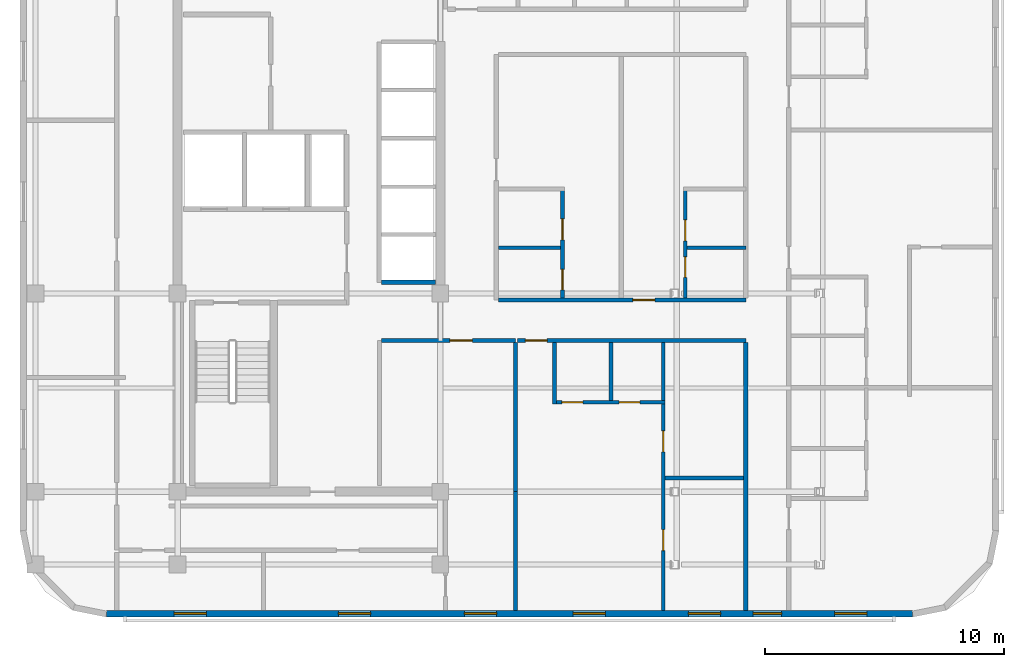
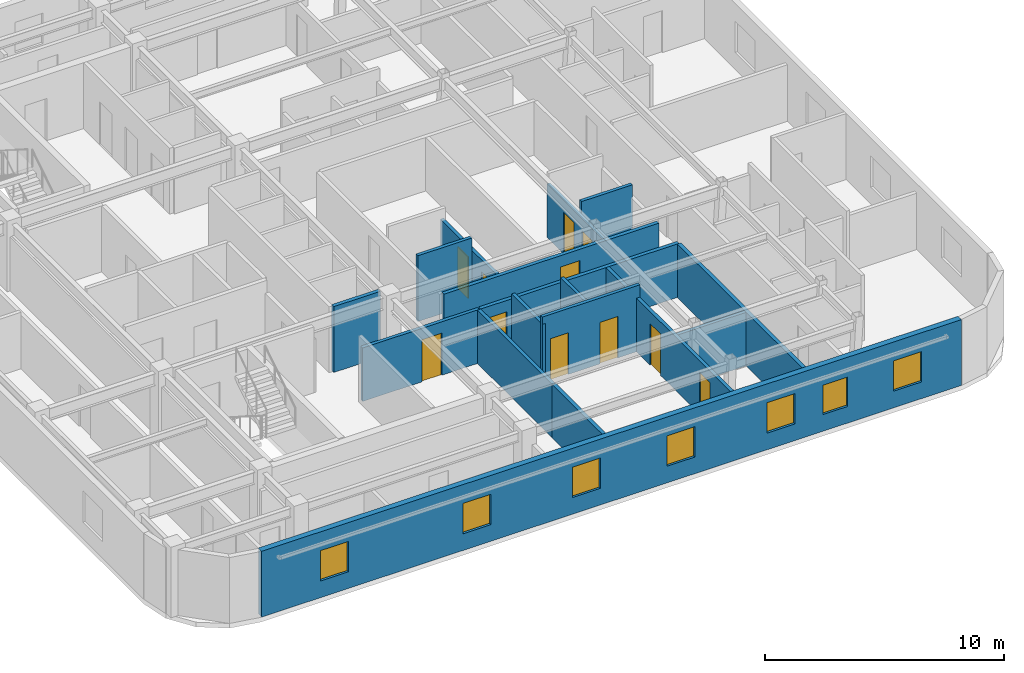
# One storey, part 3 of 10: 17 walls, 11 doors, 7 windows, 18 openings.
"""IFC4 building model written with IfcOpenShell, lengths in metres."""

from ifc_helpers import new_model, si_unit, direction, frame, frame_2d, origin, place, context, subcontext, project, spatial, rectangle, extrude, material, layer, layer_set, type_object, element, fill, save


model = new_model("IFC4")

# Units and contexts
model_context = context("Model", 3, precision=1e-05, world=origin(), true_north=direction((0.0, 1.0)))
body_context = subcontext(model_context, "Body", "Model", "MODEL_VIEW")
ifc_project = project(units=[si_unit("LENGTHUNIT", "METRE"), si_unit("AREAUNIT", "SQUARE_METRE"), si_unit("VOLUMEUNIT", "CUBIC_METRE"), si_unit("PLANEANGLEUNIT", "RADIAN"), si_unit("MASSUNIT", "GRAM", prefix="KILO")], contexts=[model_context])

# Site, building, storey
site_placement = place(None, origin())
site = spatial("IfcSite", under=ifc_project, at=site_placement, CompositionType="ELEMENT")
building_placement = place(site_placement, origin())
building = spatial("IfcBuilding", under=site, at=building_placement, Name="Ochreholt Gables", CompositionType="ELEMENT")
storey_placement = place(building_placement, frame((0.0, 0.0, 144.60009765625)))
storey = spatial("IfcBuildingStorey", under=building, at=storey_placement, Name="L37", CompositionType="ELEMENT", Elevation=144.60009765625)

# Wall, openings, windows
ifc_material_1 = material(Name="Precast concrete 40 MPa", Category="concrete")
ifc_layer_1 = layer(ifc_material_1, 0.280029296875, Name="Precast concrete 40 MPa")
ifc_layer_set_1 = layer_set([ifc_layer_1], Name="Precast concrete 40 MPa")
wall_type_1 = type_object("IfcWallType", Name="WALL-EXT-280", PredefinedType="SOLIDWALL", material=ifc_layer_set_1)
wall_1_placement = place(storey_placement, frame((21.219970703125, 4.139892578125, 0.0), z_axis=(0.0, 0.0, 1.0), x_axis=(1.0, 0.0, 0.0)))
wall_1 = element("IfcWall", 1, at=wall_1_placement, inside=storey, type_object=wall_type_1, Name="L37 South Exterior Wall", PredefinedType="SOLIDWALL", context=body_context, shape_type="SweptSolid", body=[
    extrude(rectangle(XDim=33.760009765625, YDim=0.280029296875, at=frame_2d((16.8798828125, 0.0))), origin(), (0.0, 0.0, 1.0), 3.35986328125),
])
opening_1_placement = place(wall_1_placement, frame((2.830078125, 0.0, 0.85009765625)))
opening_1 = element("IfcOpeningElement", 2, at=opening_1_placement, cuts=wall_1, Name="Opening WN-8", PredefinedType="OPENING", context=body_context, shape_type="SweptSolid", body=[
    extrude(rectangle(XDim=1.35009765625, YDim=1.550048828125, at=frame_2d((0.675048828125, 0.77490234375))), frame((0.0, 0.14990234375, 0.0), z_axis=(0.0, -1.0, 0.0), x_axis=(1.0, 0.0, 0.0)), (0.0, 0.0, 1.0), 0.300048828125),
])
opening_2_placement = place(wall_1_placement, frame((9.715087890625, 0.0, 0.85009765625)))
opening_2 = element("IfcOpeningElement", 3, at=opening_2_placement, cuts=wall_1, Name="Opening WN-8", PredefinedType="OPENING", context=body_context, shape_type="SweptSolid", body=[
    extrude(rectangle(XDim=1.35009765625, YDim=1.550048828125, at=frame_2d((0.675048828125, 0.77490234375))), frame((0.0, 0.14990234375, 0.0), z_axis=(0.0, -1.0, 0.0), x_axis=(1.0, 0.0, 0.0)), (0.0, 0.0, 1.0), 0.300048828125),
])
opening_3_placement = place(wall_1_placement, frame((14.989990234375, 0.0, 0.85009765625)))
opening_3 = element("IfcOpeningElement", 4, at=opening_3_placement, cuts=wall_1, Name="Opening WN-8", PredefinedType="OPENING", context=body_context, shape_type="SweptSolid", body=[
    extrude(rectangle(XDim=1.35009765625, YDim=1.550048828125, at=frame_2d((0.675048828125, 0.77490234375))), frame((0.0, 0.14990234375, 0.0), z_axis=(0.0, -1.0, 0.0), x_axis=(1.0, 0.0, 0.0)), (0.0, 0.0, 1.0), 0.300048828125),
])
opening_4_placement = place(wall_1_placement, frame((19.550048828125, 0.0, 0.85009765625)))
opening_4 = element("IfcOpeningElement", 5, at=opening_4_placement, cuts=wall_1, Name="Opening WN-8", PredefinedType="OPENING", context=body_context, shape_type="SweptSolid", body=[
    extrude(rectangle(XDim=1.35009765625, YDim=1.550048828125, at=frame_2d((0.675048828125, 0.77490234375))), frame((0.0, 0.14990234375, 0.0), z_axis=(0.0, -1.0, 0.0), x_axis=(1.0, 0.0, 0.0)), (0.0, 0.0, 1.0), 0.300048828125),
])
opening_5_placement = place(wall_1_placement, frame((24.375, 0.0, 0.85009765625)))
opening_5 = element("IfcOpeningElement", 6, at=opening_5_placement, cuts=wall_1, Name="Opening WN-8", PredefinedType="OPENING", context=body_context, shape_type="SweptSolid", body=[
    extrude(rectangle(XDim=1.35009765625, YDim=1.550048828125, at=frame_2d((0.675048828125, 0.77490234375))), frame((0.0, 0.14990234375, 0.0), z_axis=(0.0, -1.0, 0.0), x_axis=(1.0, 0.0, 0.0)), (0.0, 0.0, 1.0), 0.300048828125),
])
opening_6_placement = place(wall_1_placement, frame((27.080078125, 0.0, 0.85009765625)))
opening_6 = element("IfcOpeningElement", 7, at=opening_6_placement, cuts=wall_1, Name="Opening WN-3", PredefinedType="OPENING", context=body_context, shape_type="SweptSolid", body=[
    extrude(rectangle(XDim=1.199951171875, YDim=1.5, at=frame_2d((0.60009765625, 0.75))), frame((0.0, 0.14990234375, 0.0), z_axis=(0.0, -1.0, 0.0), x_axis=(1.0, 0.0, 0.0)), (0.0, 0.0, 1.0), 0.300048828125),
])
opening_7_placement = place(wall_1_placement, frame((30.4951171875, 0.0, 0.85009765625)))
opening_7 = element("IfcOpeningElement", 8, at=opening_7_placement, cuts=wall_1, Name="Opening WN-8", PredefinedType="OPENING", context=body_context, shape_type="SweptSolid", body=[
    extrude(rectangle(XDim=1.35009765625, YDim=1.550048828125, at=frame_2d((0.675048828125, 0.77490234375))), frame((0.0, 0.14990234375, 0.0), z_axis=(0.0, -1.0, 0.0), x_axis=(1.0, 0.0, 0.0)), (0.0, 0.0, 1.0), 0.300048828125),
])
ifc_material_2 = material(Name="Triple-Glazed Thermally Broken Aluminium Window", Category="aluminium")
window_type_1 = type_object("IfcWindowType", Name="WIN-RES-1200", PartitioningType="SINGLE_PANEL", PredefinedType="WINDOW", material=ifc_material_2)
window_1_placement = place(opening_6_placement, origin())
window_1 = element("IfcWindow", 9, at=window_1_placement, inside=storey, type_object=window_type_1, Name="L37 Window W-EXT-S-L37-6", OverallHeight=1.5, OverallWidth=1.199951171875, PartitioningType="SINGLE_PANEL", PredefinedType="WINDOW", context=body_context, shape_type="SweptSolid", body=[
    extrude(rectangle(XDim=1.199951171875, YDim=1.5, at=frame_2d((0.60009765625, 0.75))), frame((0.0, 0.030029296875, 0.0), z_axis=(0.0, -1.0, 0.0), x_axis=(1.0, 0.0, 0.0)), (0.0, 0.0, 1.0), 0.06005859375),
])
fill(opening_6, window_1)
window_type_2 = type_object("IfcWindowType", Name="WIN-RES-1350", PartitioningType="SINGLE_PANEL", PredefinedType="WINDOW", material=ifc_material_2)
window_2_placement = place(opening_1_placement, origin())
window_2 = element("IfcWindow", 10, at=window_2_placement, inside=storey, type_object=window_type_2, Name="L37 Window W-EXT-S-L37-1", OverallHeight=1.550048828125, OverallWidth=1.35009765625, PartitioningType="SINGLE_PANEL", PredefinedType="WINDOW", context=body_context, shape_type="SweptSolid", body=[
    extrude(rectangle(XDim=1.35009765625, YDim=1.550048828125, at=frame_2d((0.675048828125, 0.77490234375))), frame((0.0, 0.030029296875, 0.0), z_axis=(0.0, -1.0, 0.0), x_axis=(1.0, 0.0, 0.0)), (0.0, 0.0, 1.0), 0.06005859375),
])
fill(opening_1, window_2)
window_3_placement = place(opening_2_placement, origin())
window_3 = element("IfcWindow", 11, at=window_3_placement, inside=storey, type_object=window_type_2, Name="L37 Window W-EXT-S-L37-2", OverallHeight=1.550048828125, OverallWidth=1.35009765625, PartitioningType="SINGLE_PANEL", PredefinedType="WINDOW", context=body_context, shape_type="SweptSolid", body=[
    extrude(rectangle(XDim=1.35009765625, YDim=1.550048828125, at=frame_2d((0.675048828125, 0.77490234375))), frame((0.0, 0.030029296875, 0.0), z_axis=(0.0, -1.0, 0.0), x_axis=(1.0, 0.0, 0.0)), (0.0, 0.0, 1.0), 0.06005859375),
])
fill(opening_2, window_3)
window_4_placement = place(opening_3_placement, origin())
window_4 = element("IfcWindow", 12, at=window_4_placement, inside=storey, type_object=window_type_2, Name="L37 Window W-EXT-S-L37-3", OverallHeight=1.550048828125, OverallWidth=1.35009765625, PartitioningType="SINGLE_PANEL", PredefinedType="WINDOW", context=body_context, shape_type="SweptSolid", body=[
    extrude(rectangle(XDim=1.35009765625, YDim=1.550048828125, at=frame_2d((0.675048828125, 0.77490234375))), frame((0.0, 0.030029296875, 0.0), z_axis=(0.0, -1.0, 0.0), x_axis=(1.0, 0.0, 0.0)), (0.0, 0.0, 1.0), 0.06005859375),
])
fill(opening_3, window_4)
window_5_placement = place(opening_4_placement, origin())
window_5 = element("IfcWindow", 13, at=window_5_placement, inside=storey, type_object=window_type_2, Name="L37 Window W-EXT-S-L37-4", OverallHeight=1.550048828125, OverallWidth=1.35009765625, PartitioningType="SINGLE_PANEL", PredefinedType="WINDOW", context=body_context, shape_type="SweptSolid", body=[
    extrude(rectangle(XDim=1.35009765625, YDim=1.550048828125, at=frame_2d((0.675048828125, 0.77490234375))), frame((0.0, 0.030029296875, 0.0), z_axis=(0.0, -1.0, 0.0), x_axis=(1.0, 0.0, 0.0)), (0.0, 0.0, 1.0), 0.06005859375),
])
fill(opening_4, window_5)
window_6_placement = place(opening_5_placement, origin())
window_6 = element("IfcWindow", 14, at=window_6_placement, inside=storey, type_object=window_type_2, Name="L37 Window W-EXT-S-L37-5", OverallHeight=1.550048828125, OverallWidth=1.35009765625, PartitioningType="SINGLE_PANEL", PredefinedType="WINDOW", context=body_context, shape_type="SweptSolid", body=[
    extrude(rectangle(XDim=1.35009765625, YDim=1.550048828125, at=frame_2d((0.675048828125, 0.77490234375))), frame((0.0, 0.030029296875, 0.0), z_axis=(0.0, -1.0, 0.0), x_axis=(1.0, 0.0, 0.0)), (0.0, 0.0, 1.0), 0.06005859375),
])
fill(opening_5, window_6)
window_7_placement = place(opening_7_placement, origin())
window_7 = element("IfcWindow", 15, at=window_7_placement, inside=storey, type_object=window_type_2, Name="L37 Window W-EXT-S-L37-7", OverallHeight=1.550048828125, OverallWidth=1.35009765625, PartitioningType="SINGLE_PANEL", PredefinedType="WINDOW", context=body_context, shape_type="SweptSolid", body=[
    extrude(rectangle(XDim=1.35009765625, YDim=1.550048828125, at=frame_2d((0.675048828125, 0.77490234375))), frame((0.0, 0.030029296875, 0.0), z_axis=(0.0, -1.0, 0.0), x_axis=(1.0, 0.0, 0.0)), (0.0, 0.0, 1.0), 0.06005859375),
])
fill(opening_7, window_7)

# Wall, opening, door
ifc_material_3 = material(Name="Fire-Rated Gypsum Acoustic Partition", Category="gypsum")
ifc_layer_2 = layer(ifc_material_3, 0.179931640625, Name="Fire-Rated Gypsum Acoustic Partition")
ifc_layer_set_2 = layer_set([ifc_layer_2], Name="Fire-Rated Gypsum Acoustic Partition")
wall_type_2 = type_object("IfcWallType", Name="WALL-INT-CR180", PredefinedType="STANDARD", material=ifc_layer_set_2)
wall_2_placement = place(storey_placement, frame((38.4326171875, 15.580078125, 0.0), z_axis=(0.0, 0.0, 1.0), x_axis=(1.0, 0.0, 0.0)))
wall_2 = element("IfcWall", 16, at=wall_2_placement, inside=storey, type_object=wall_type_2, Name="L37 Interior Wall WI-C2SS1-L37", PredefinedType="STANDARD", context=body_context, shape_type="SweptSolid", body=[
    extrude(rectangle(XDim=9.5673828125, YDim=0.179931640625, at=frame_2d((4.78369140625, 0.0))), origin(), (0.0, 0.0, 1.0), 2.72998046875),
])
opening_8_placement = place(wall_2_placement, frame((0.327392578125, 0.0, 0.0)))
opening_8 = element("IfcOpeningElement", 17, at=opening_8_placement, cuts=wall_2, Name="Opening D-UN1", PredefinedType="OPENING", context=body_context, shape_type="SweptSolid", body=[
    extrude(rectangle(XDim=0.919921875, YDim=2.14990234375, at=frame_2d((0.4599609375, 1.074951171875))), frame((0.0, 0.099853515625, 0.0), z_axis=(0.0, -1.0, 0.0), x_axis=(1.0, 0.0, 0.0)), (0.0, 0.0, 1.0), 0.199951171875),
])
ifc_material_4 = material(Name="Engineered Oak Timber", Category="wood")
door_type_1 = type_object("IfcDoorType", Name="DR-INT-UNT920", OperationType="NOTDEFINED", PredefinedType="DOOR", material=ifc_material_4)
door_1_placement = place(opening_8_placement, origin())
door_1 = element("IfcDoor", 18, at=door_1_placement, inside=storey, type_object=door_type_1, Name="L37 Door D-U-L37S1-ENT", OperationType="SINGLE_SWING_RIGHT", OverallHeight=2.14990234375, OverallWidth=0.919921875, PredefinedType="DOOR", context=body_context, shape_type="SweptSolid", body=[
    extrude(rectangle(XDim=0.919921875, YDim=2.14990234375, at=frame_2d((0.4599609375, 1.074951171875))), frame((0.0, 0.02490234375, 0.0), z_axis=(0.0, -1.0, 0.0), x_axis=(1.0, 0.0, 0.0)), (0.0, 0.0, 1.0), 0.050048828125),
])
fill(opening_8, door_1)

wall_3_placement = place(storey_placement, frame((37.639892578125, 17.280029296875, 0.0), z_axis=(0.0, 0.0, 1.0), x_axis=(1.0, 0.0, 0.0)))
wall_3 = element("IfcWall", 19, at=wall_3_placement, inside=storey, type_object=wall_type_2, Name="L37 Interior Wall WI-C2SS2-L37", PredefinedType="STANDARD", context=body_context, shape_type="SweptSolid", body=[
    extrude(rectangle(XDim=10.360107421875, YDim=0.179931640625, at=frame_2d((5.18017578125, 0.0))), origin(), (0.0, 0.0, 1.0), 2.72998046875),
])
opening_9_placement = place(wall_3_placement, frame((5.625, 0.0, 0.0)))
opening_9 = element("IfcOpeningElement", 20, at=opening_9_placement, cuts=wall_3, Name="Opening D-UN1", PredefinedType="OPENING", context=body_context, shape_type="SweptSolid", body=[
    extrude(rectangle(XDim=0.919921875, YDim=2.14990234375, at=frame_2d((0.4599609375, 1.074951171875))), frame((0.0, 0.099853515625, 0.0), z_axis=(0.0, -1.0, 0.0), x_axis=(1.0, 0.0, 0.0)), (0.0, 0.0, 1.0), 0.199951171875),
])
door_2_placement = place(opening_9_placement, origin())
door_2 = element("IfcDoor", 21, at=door_2_placement, inside=storey, type_object=door_type_1, Name="L37 Door D-U-L37M2-ENT", OperationType="SINGLE_SWING_LEFT", OverallHeight=2.14990234375, OverallWidth=0.919921875, PredefinedType="DOOR", context=body_context, shape_type="SweptSolid", body=[
    extrude(rectangle(XDim=0.919921875, YDim=2.14990234375, at=frame_2d((0.4599609375, 1.074951171875))), frame((0.0, 0.02490234375, 0.0), z_axis=(0.0, -1.0, 0.0), x_axis=(1.0, 0.0, 0.0)), (0.0, 0.0, 1.0), 0.050048828125),
])
fill(opening_9, door_2)

# Walls
wall_4_placement = place(storey_placement, frame((48.0, 4.280029296875, 0.0), z_axis=(0.0, 0.0, 1.0), x_axis=(0.0, 1.0, 0.0)))
element("IfcWall", 22, at=wall_4_placement, inside=storey, type_object=wall_type_2, Name="L37 Interior Wall WI-C2FEGW1-L37", PredefinedType="STANDARD", context=body_context, shape_type="SweptSolid", body=[
    extrude(rectangle(XDim=11.2099609375, YDim=0.179931640625, at=frame_2d((5.60498046875, 0.0))), origin(), (0.0, 0.0, 1.0), 2.72998046875),
])
ifc_material_5 = material(Name="Double-Stud Acoustic Demising Wall", Category="gypsum")
ifc_layer_3 = layer(ifc_material_5, 0.179931640625, Name="Double-Stud Acoustic Demising Wall")
ifc_layer_set_3 = layer_set([ifc_layer_3], Name="Double-Stud Acoustic Demising Wall")
wall_type_3 = type_object("IfcWallType", Name="WALL-INT-DM180", PredefinedType="PARTITIONING", material=ifc_layer_set_3)
wall_5_placement = place(storey_placement, frame((38.35009765625, 4.280029296875, 0.0), z_axis=(0.0, 0.0, 1.0), x_axis=(0.0, 1.0, 0.0)))
element("IfcWall", 23, at=wall_5_placement, inside=storey, type_object=wall_type_3, Name="L37 Interior Wall WI-C2SEW2-L37", PredefinedType="PARTITIONING", context=body_context, shape_type="SweptSolid", body=[
    extrude(rectangle(XDim=4.969970703125, YDim=0.179931640625, at=frame_2d((2.48486328125, 0.0))), origin(), (0.0, 0.0, 1.0), 2.72998046875),
])

# Wall, openings, doors
ifc_material_6 = material(Name="Moisture-Resistant Plumbing Chase Wall", Category="gypsum")
ifc_layer_4 = layer(ifc_material_6, 0.159912109375, Name="Moisture-Resistant Plumbing Chase Wall")
ifc_layer_set_4 = layer_set([ifc_layer_4], Name="Moisture-Resistant Plumbing Chase Wall")
wall_type_4 = type_object("IfcWallType", Name="WALL-INT-PL160", PredefinedType="PLUMBINGWALL", material=ifc_layer_set_4)
wall_6_placement = place(storey_placement, frame((39.909912109375, 12.992431640625, 0.0), z_axis=(0.0, 0.0, 1.0), x_axis=(1.0, 0.0, 0.0)))
wall_6 = element("IfcWall", 24, at=wall_6_placement, inside=storey, type_object=wall_type_4, Name="L37 Interior Wall WU-L37S1-WY", PredefinedType="PLUMBINGWALL", context=body_context, shape_type="SweptSolid", body=[
    extrude(rectangle(XDim=4.710205078125, YDim=0.159912109375, at=frame_2d((2.35498046875, 0.0))), origin(), (0.0, 0.0, 1.0), 3.35986328125),
])
opening_10_placement = place(wall_6_placement, frame((0.3798828125, 0.0, 0.0)))
opening_10 = element("IfcOpeningElement", 25, at=opening_10_placement, cuts=wall_6, Name="Opening D-GN2", PredefinedType="OPENING", context=body_context, shape_type="SweptSolid", body=[
    extrude(rectangle(XDim=0.8798828125, YDim=2.1201171875, at=frame_2d((0.43994140625, 1.06005859375))), frame((0.0, 0.08984375, 0.0), z_axis=(0.0, -1.0, 0.0), x_axis=(1.0, 0.0, 0.0)), (0.0, 0.0, 1.0), 0.179931640625),
])
opening_11_placement = place(wall_6_placement, frame((2.785888671875, 0.0, 0.0)))
opening_11 = element("IfcOpeningElement", 26, at=opening_11_placement, cuts=wall_6, Name="Opening D-BT1", PredefinedType="OPENING", context=body_context, shape_type="SweptSolid", body=[
    extrude(rectangle(XDim=0.860107421875, YDim=2.1201171875, at=frame_2d((0.43017578125, 1.06005859375))), frame((0.0, 0.08984375, 0.0), z_axis=(0.0, -1.0, 0.0), x_axis=(1.0, 0.0, 0.0)), (0.0, 0.0, 1.0), 0.179931640625),
])
door_type_2 = type_object("IfcDoorType", Name="DR-INT-BTH860", OperationType="NOTDEFINED", PredefinedType="DOOR", material=ifc_material_4)
door_3_placement = place(opening_11_placement, origin())
door_3 = element("IfcDoor", 27, at=door_3_placement, inside=storey, type_object=door_type_2, Name="L37 Door D-U-L37S1-BTH", OperationType="SINGLE_SWING_RIGHT", OverallHeight=2.1201171875, OverallWidth=0.860107421875, PredefinedType="DOOR", context=body_context, shape_type="SweptSolid", body=[
    extrude(rectangle(XDim=0.860107421875, YDim=2.1201171875, at=frame_2d((0.43017578125, 1.06005859375))), frame((0.0, 0.02490234375, 0.0), z_axis=(0.0, -1.0, 0.0), x_axis=(1.0, 0.0, 0.0)), (0.0, 0.0, 1.0), 0.050048828125),
])
fill(opening_11, door_3)
door_type_3 = type_object("IfcDoorType", Name="DR-INT-GEN880", OperationType="NOTDEFINED", PredefinedType="DOOR", material=ifc_material_4)
door_4_placement = place(opening_10_placement, origin())
door_4 = element("IfcDoor", 28, at=door_4_placement, inside=storey, type_object=door_type_3, Name="L37 Door D-U-L37S1-KIT", OperationType="SINGLE_SWING_LEFT", OverallHeight=2.1201171875, OverallWidth=0.8798828125, PredefinedType="DOOR", context=body_context, shape_type="SweptSolid", body=[
    extrude(rectangle(XDim=0.8798828125, YDim=2.1201171875, at=frame_2d((0.43994140625, 1.06005859375))), frame((0.0, 0.02490234375, 0.0), z_axis=(0.0, -1.0, 0.0), x_axis=(1.0, 0.0, 0.0)), (0.0, 0.0, 1.0), 0.050048828125),
])
fill(opening_10, door_4)

# Walls
wall_7_placement = place(storey_placement, frame((39.989990234375, 12.91259765625, 0.0), z_axis=(0.0, 0.0, 1.0), x_axis=(0.0, 1.0, 0.0)))
element("IfcWall", 29, at=wall_7_placement, inside=storey, type_object=wall_type_4, Name="L37 Interior Wall WU-L37S1-FY", PredefinedType="PLUMBINGWALL", context=body_context, shape_type="SweptSolid", body=[
    extrude(rectangle(XDim=2.577392578125, YDim=0.159912109375, at=frame_2d((1.28857421875, 0.0))), origin(), (0.0, 0.0, 1.0), 2.98388671875),
])
wall_8_placement = place(storey_placement, frame((42.35595703125, 13.072509765625, 0.0), z_axis=(0.0, 0.0, 1.0), x_axis=(0.0, 1.0, 0.0)))
element("IfcWall", 30, at=wall_8_placement, inside=storey, type_object=wall_type_4, Name="L37 Interior Wall WU-L37S1-WK", PredefinedType="PLUMBINGWALL", context=body_context, shape_type="SweptSolid", body=[
    extrude(rectangle(XDim=2.41748046875, YDim=0.159912109375, at=frame_2d((1.208740234375, 0.0))), origin(), (0.0, 0.0, 1.0), 2.98388671875),
])

# Wall, openings, doors
wall_9_placement = place(storey_placement, frame((40.318115234375, 17.3701171875, 0.0), z_axis=(0.0, 0.0, 1.0), x_axis=(0.0, 1.0, 0.0)))
wall_9 = element("IfcWall", 31, at=wall_9_placement, inside=storey, type_object=wall_type_4, Name="L37 Interior Wall WU-L37M1-WX", PredefinedType="PLUMBINGWALL", context=body_context, shape_type="SweptSolid", body=[
    extrude(rectangle(XDim=4.639892578125, YDim=0.159912109375, at=frame_2d((2.31982421875, 0.0))), origin(), (0.0, 0.0, 1.0), 2.72998046875),
])
opening_12_placement = place(wall_9_placement, frame((0.330078125, 0.0, 0.0)))
opening_12 = element("IfcOpeningElement", 32, at=opening_12_placement, cuts=wall_9, Name="Opening D-BT1", PredefinedType="OPENING", context=body_context, shape_type="SweptSolid", body=[
    extrude(rectangle(XDim=0.860107421875, YDim=2.1201171875, at=frame_2d((0.43017578125, 1.06005859375))), frame((0.0, 0.08984375, 0.0), z_axis=(0.0, -1.0, 0.0), x_axis=(1.0, 0.0, 0.0)), (0.0, 0.0, 1.0), 0.179931640625),
])
opening_13_placement = place(wall_9_placement, frame((2.423095703125, 0.0, 0.0)))
opening_13 = element("IfcOpeningElement", 33, at=opening_13_placement, cuts=wall_9, Name="Opening D-GN2", PredefinedType="OPENING", context=body_context, shape_type="SweptSolid", body=[
    extrude(rectangle(XDim=0.8798828125, YDim=2.1201171875, at=frame_2d((0.43994140625, 1.06005859375))), frame((0.0, 0.08984375, 0.0), z_axis=(0.0, -1.0, 0.0), x_axis=(1.0, 0.0, 0.0)), (0.0, 0.0, 1.0), 0.179931640625),
])
door_5_placement = place(opening_12_placement, origin())
door_5 = element("IfcDoor", 34, at=door_5_placement, inside=storey, type_object=door_type_2, Name="L37 Door D-U-L37M1-BTH", OperationType="SINGLE_SWING_LEFT", OverallHeight=2.1201171875, OverallWidth=0.860107421875, PredefinedType="DOOR", context=body_context, shape_type="SweptSolid", body=[
    extrude(rectangle(XDim=0.860107421875, YDim=2.1201171875, at=frame_2d((0.43017578125, 1.06005859375))), frame((0.0, 0.02490234375, 0.0), z_axis=(0.0, -1.0, 0.0), x_axis=(1.0, 0.0, 0.0)), (0.0, 0.0, 1.0), 0.050048828125),
])
fill(opening_12, door_5)
door_6_placement = place(opening_13_placement, origin())
door_6 = element("IfcDoor", 35, at=door_6_placement, inside=storey, type_object=door_type_3, Name="L37 Door D-U-L37M1-KIT", OperationType="SINGLE_SWING_RIGHT", OverallHeight=2.1201171875, OverallWidth=0.8798828125, PredefinedType="DOOR", context=body_context, shape_type="SweptSolid", body=[
    extrude(rectangle(XDim=0.8798828125, YDim=2.1201171875, at=frame_2d((0.43994140625, 1.06005859375))), frame((0.0, 0.02490234375, 0.0), z_axis=(0.0, -1.0, 0.0), x_axis=(1.0, 0.0, 0.0)), (0.0, 0.0, 1.0), 0.050048828125),
])
fill(opening_13, door_6)

# Wall
wall_10_placement = place(storey_placement, frame((37.639892578125, 19.462890625, 0.0), z_axis=(0.0, 0.0, 1.0), x_axis=(1.0, 0.0, 0.0)))
element("IfcWall", 36, at=wall_10_placement, inside=storey, type_object=wall_type_4, Name="L37 Interior Wall WU-L37M1-WM", PredefinedType="PLUMBINGWALL", context=body_context, shape_type="SweptSolid", body=[
    extrude(rectangle(XDim=2.59814453125, YDim=0.159912109375, at=frame_2d((1.299072265625, 0.0))), origin(), (0.0, 0.0, 1.0), 3.35986328125),
])

# Wall, openings, doors
wall_11_placement = place(storey_placement, frame((45.4599609375, 17.3701171875, 0.0), z_axis=(0.0, 0.0, 1.0), x_axis=(0.0, 1.0, 0.0)))
wall_11 = element("IfcWall", 37, at=wall_11_placement, inside=storey, type_object=wall_type_4, Name="L37 Interior Wall WU-L37M2-WX", PredefinedType="PLUMBINGWALL", context=body_context, shape_type="SweptSolid", body=[
    extrude(rectangle(XDim=4.639892578125, YDim=0.159912109375, at=frame_2d((2.31982421875, 0.0))), origin(), (0.0, 0.0, 1.0), 2.72998046875),
])
opening_14_placement = place(wall_11_placement, frame((0.85009765625, 0.0, 0.0)))
opening_14 = element("IfcOpeningElement", 38, at=opening_14_placement, cuts=wall_11, Name="Opening D-BT1", PredefinedType="OPENING", context=body_context, shape_type="SweptSolid", body=[
    extrude(rectangle(XDim=0.860107421875, YDim=2.1201171875, at=frame_2d((0.43017578125, 1.06005859375))), frame((0.0, 0.08984375, 0.0), z_axis=(0.0, -1.0, 0.0), x_axis=(1.0, 0.0, 0.0)), (0.0, 0.0, 1.0), 0.179931640625),
])
opening_15_placement = place(wall_11_placement, frame((2.383056640625, 0.0, 0.0)))
opening_15 = element("IfcOpeningElement", 39, at=opening_15_placement, cuts=wall_11, Name="Opening D-GN2", PredefinedType="OPENING", context=body_context, shape_type="SweptSolid", body=[
    extrude(rectangle(XDim=0.8798828125, YDim=2.1201171875, at=frame_2d((0.43994140625, 1.06005859375))), frame((0.0, 0.08984375, 0.0), z_axis=(0.0, -1.0, 0.0), x_axis=(1.0, 0.0, 0.0)), (0.0, 0.0, 1.0), 0.179931640625),
])
door_7_placement = place(opening_14_placement, origin())
door_7 = element("IfcDoor", 40, at=door_7_placement, inside=storey, type_object=door_type_2, Name="L37 Door D-U-L37M2-BTH", OperationType="SINGLE_SWING_RIGHT", OverallHeight=2.1201171875, OverallWidth=0.860107421875, PredefinedType="DOOR", context=body_context, shape_type="SweptSolid", body=[
    extrude(rectangle(XDim=0.860107421875, YDim=2.1201171875, at=frame_2d((0.43017578125, 1.06005859375))), frame((0.0, 0.02490234375, 0.0), z_axis=(0.0, -1.0, 0.0), x_axis=(1.0, 0.0, 0.0)), (0.0, 0.0, 1.0), 0.050048828125),
])
fill(opening_14, door_7)
door_8_placement = place(opening_15_placement, origin())
door_8 = element("IfcDoor", 41, at=door_8_placement, inside=storey, type_object=door_type_3, Name="L37 Door D-U-L37M2-KIT", OperationType="SINGLE_SWING_LEFT", OverallHeight=2.1201171875, OverallWidth=0.8798828125, PredefinedType="DOOR", context=body_context, shape_type="SweptSolid", body=[
    extrude(rectangle(XDim=0.8798828125, YDim=2.1201171875, at=frame_2d((0.43994140625, 1.06005859375))), frame((0.0, 0.02490234375, 0.0), z_axis=(0.0, -1.0, 0.0), x_axis=(1.0, 0.0, 0.0)), (0.0, 0.0, 1.0), 0.050048828125),
])
fill(opening_15, door_8)

# Wall
wall_12_placement = place(storey_placement, frame((45.5400390625, 19.462890625, 0.0), z_axis=(0.0, 0.0, 1.0), x_axis=(1.0, 0.0, 0.0)))
element("IfcWall", 42, at=wall_12_placement, inside=storey, type_object=wall_type_4, Name="L37 Interior Wall WU-L37M2-WK", PredefinedType="PLUMBINGWALL", context=body_context, shape_type="SweptSolid", body=[
    extrude(rectangle(XDim=2.4599609375, YDim=0.159912109375, at=frame_2d((1.22998046875, 0.0))), origin(), (0.0, 0.0, 1.0), 3.35986328125),
])

# Wall, opening, door
ifc_material_7 = material(Name="Gypsum Acoustic Stud Partition", Category="gypsum")
ifc_layer_5 = layer(ifc_material_7, 0.1650390625, Name="Gypsum Acoustic Stud Partition")
ifc_layer_set_5 = layer_set([ifc_layer_5], Name="Gypsum Acoustic Stud Partition")
wall_type_5 = type_object("IfcWallType", Name="WALL-INT-PT165", PredefinedType="PARTITIONING", material=ifc_layer_set_5)
wall_13_placement = place(storey_placement, frame((32.732421875, 15.580078125, 0.0), z_axis=(0.0, 0.0, 1.0), x_axis=(1.0, 0.0, 0.0)))
wall_13 = element("IfcWall", 43, at=wall_13_placement, inside=storey, type_object=wall_type_5, Name="L37 Interior Wall WI-RCL-N-L37", PredefinedType="PARTITIONING", context=body_context, shape_type="SweptSolid", body=[
    extrude(rectangle(XDim=5.61767578125, YDim=0.1650390625, at=frame_2d((2.808837890625, 0.0))), origin(), (0.0, 0.0, 1.0), 2.72998046875),
])
opening_16_placement = place(wall_13_placement, frame((2.867431640625, 0.0, 0.0)))
opening_16 = element("IfcOpeningElement", 44, at=opening_16_placement, cuts=wall_13, Name="Opening D-GN1", PredefinedType="OPENING", context=body_context, shape_type="SweptSolid", body=[
    extrude(rectangle(XDim=0.949951171875, YDim=2.14990234375, at=frame_2d((0.47509765625, 1.074951171875))), frame((0.0, 0.092529296875, 0.0), z_axis=(0.0, -1.0, 0.0), x_axis=(1.0, 0.0, 0.0)), (0.0, 0.0, 1.0), 0.18505859375),
])
door_type_4 = type_object("IfcDoorType", Name="DR-INT-GEN950", OperationType="NOTDEFINED", PredefinedType="DOOR", material=ifc_material_4)
door_9_placement = place(opening_16_placement, origin())
door_9 = element("IfcDoor", 45, at=door_9_placement, inside=storey, type_object=door_type_4, Name="L37 Door D-RCL-L37", OperationType="SINGLE_SWING_LEFT", OverallHeight=2.14990234375, OverallWidth=0.949951171875, PredefinedType="DOOR", context=body_context, shape_type="SweptSolid", body=[
    extrude(rectangle(XDim=0.949951171875, YDim=2.14990234375, at=frame_2d((0.47509765625, 1.074951171875))), frame((0.0, 0.02490234375, 0.0), z_axis=(0.0, -1.0, 0.0), x_axis=(1.0, 0.0, 0.0)), (0.0, 0.0, 1.0), 0.050048828125),
])
fill(opening_16, door_9)

# Wall
wall_14_placement = place(storey_placement, frame((38.35009765625, 9.25, 0.0), z_axis=(0.0, 0.0, 1.0), x_axis=(0.0, 1.0, 0.0)))
element("IfcWall", 46, at=wall_14_placement, inside=storey, type_object=wall_type_5, Name="L37 Interior Wall WI-RCL-E-L37", PredefinedType="PARTITIONING", context=body_context, shape_type="SweptSolid", body=[
    extrude(rectangle(XDim=6.24755859375, YDim=0.1650390625, at=frame_2d((3.123779296875, 0.0))), origin(), (0.0, 0.0, 1.0), 2.72998046875),
])

# Wall, openings, doors
wall_15_placement = place(storey_placement, frame((44.5400390625, 4.280029296875, 0.0), z_axis=(0.0, 0.0, 1.0), x_axis=(0.0, 1.0, 0.0)))
wall_15 = element("IfcWall", 47, at=wall_15_placement, inside=storey, type_object=wall_type_5, Name="L37 Interior Wall WU-L37S1-MNX", PredefinedType="PARTITIONING", context=body_context, shape_type="SweptSolid", body=[
    extrude(rectangle(XDim=11.2099609375, YDim=0.1650390625, at=frame_2d((5.60498046875, 0.0))), origin(), (0.0, 0.0, 1.0), 2.72998046875),
])
opening_17_placement = place(wall_15_placement, frame((2.5, 0.0, 0.0)))
opening_17 = element("IfcOpeningElement", 48, at=opening_17_placement, cuts=wall_15, Name="Opening D-BD2", PredefinedType="OPENING", context=body_context, shape_type="SweptSolid", body=[
    extrude(rectangle(XDim=0.8798828125, YDim=2.139892578125, at=frame_2d((0.43994140625, 1.06982421875))), frame((0.0, 0.092529296875, 0.0), z_axis=(0.0, -1.0, 0.0), x_axis=(1.0, 0.0, 0.0)), (0.0, 0.0, 1.0), 0.18505859375),
])
opening_18_placement = place(wall_15_placement, frame((6.641357421875, 0.0, 0.0)))
opening_18 = element("IfcOpeningElement", 49, at=opening_18_placement, cuts=wall_15, Name="Opening D-GN2", PredefinedType="OPENING", context=body_context, shape_type="SweptSolid", body=[
    extrude(rectangle(XDim=0.8798828125, YDim=2.1201171875, at=frame_2d((0.43994140625, 1.06005859375))), frame((0.0, 0.092529296875, 0.0), z_axis=(0.0, -1.0, 0.0), x_axis=(1.0, 0.0, 0.0)), (0.0, 0.0, 1.0), 0.18505859375),
])
door_type_5 = type_object("IfcDoorType", Name="DR-INT-BED880", OperationType="NOTDEFINED", PredefinedType="DOOR", material=ifc_material_4)
door_10_placement = place(opening_17_placement, origin())
door_10 = element("IfcDoor", 50, at=door_10_placement, inside=storey, type_object=door_type_5, Name="L37 Door D-U-L37S1-BD1", OperationType="SINGLE_SWING_RIGHT", OverallHeight=2.139892578125, OverallWidth=0.8798828125, PredefinedType="DOOR", context=body_context, shape_type="SweptSolid", body=[
    extrude(rectangle(XDim=0.8798828125, YDim=2.139892578125, at=frame_2d((0.43994140625, 1.06982421875))), frame((0.0, 0.02490234375, 0.0), z_axis=(0.0, -1.0, 0.0), x_axis=(1.0, 0.0, 0.0)), (0.0, 0.0, 1.0), 0.050048828125),
])
fill(opening_17, door_10)
door_11_placement = place(opening_18_placement, origin())
door_11 = element("IfcDoor", 51, at=door_11_placement, inside=storey, type_object=door_type_3, Name="L37 Door D-U-L37S1-BD2", OperationType="SINGLE_SWING_LEFT", OverallHeight=2.1201171875, OverallWidth=0.8798828125, PredefinedType="DOOR", context=body_context, shape_type="SweptSolid", body=[
    extrude(rectangle(XDim=0.8798828125, YDim=2.1201171875, at=frame_2d((0.43994140625, 1.06005859375))), frame((0.0, 0.02490234375, 0.0), z_axis=(0.0, -1.0, 0.0), x_axis=(1.0, 0.0, 0.0)), (0.0, 0.0, 1.0), 0.050048828125),
])
fill(opening_18, door_11)

# Walls
wall_16_placement = place(storey_placement, frame((44.6201171875, 9.820068359375, 0.0), z_axis=(0.0, 0.0, 1.0), x_axis=(1.0, 0.0, 0.0)))
element("IfcWall", 52, at=wall_16_placement, inside=storey, type_object=wall_type_5, Name="L37 Interior Wall WU-L37S1-RDV", PredefinedType="PARTITIONING", context=body_context, shape_type="SweptSolid", body=[
    extrude(rectangle(XDim=3.289794921875, YDim=0.1650390625, at=frame_2d((1.64501953125, 0.0))), origin(), (0.0, 0.0, 1.0), 2.72998046875),
])
ifc_material_8 = material(Name="Gypsum Shaftliner and Steel Stud", Category="steel")
ifc_layer_6 = layer(ifc_material_8, 0.179931640625, Name="Gypsum Shaftliner and Steel Stud")
ifc_layer_set_6 = layer_set([ifc_layer_6], Name="Gypsum Shaftliner and Steel Stud")
wall_type_6 = type_object("IfcWallType", Name="WALL-INT-SH180", PredefinedType="STANDARD", material=ifc_layer_set_6)
wall_17_placement = place(storey_placement, frame((32.739990234375, 18.02001953125, 0.0), z_axis=(0.0, 0.0, 1.0), x_axis=(1.0, 0.0, 0.0)))
element("IfcWall", 53, at=wall_17_placement, inside=storey, type_object=wall_type_6, Name="L37 Interior Wall WI-LFHE-S-L37", PredefinedType="STANDARD", context=body_context, shape_type="SweptSolid", body=[
    extrude(rectangle(XDim=2.260009765625, YDim=0.179931640625, at=frame_2d((1.1298828125, 0.0))), origin(), (0.0, 0.0, 1.0), 3.35986328125),
])

save(model, "model.ifc")
